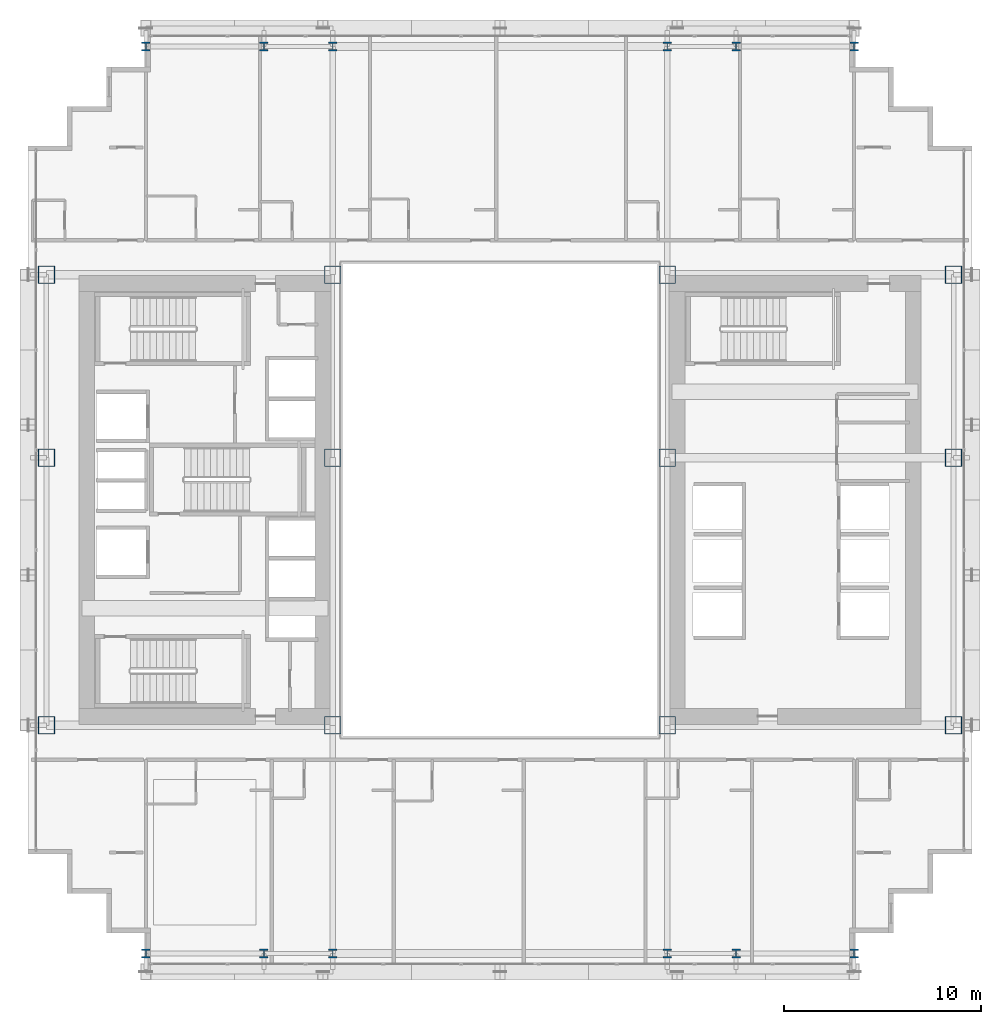
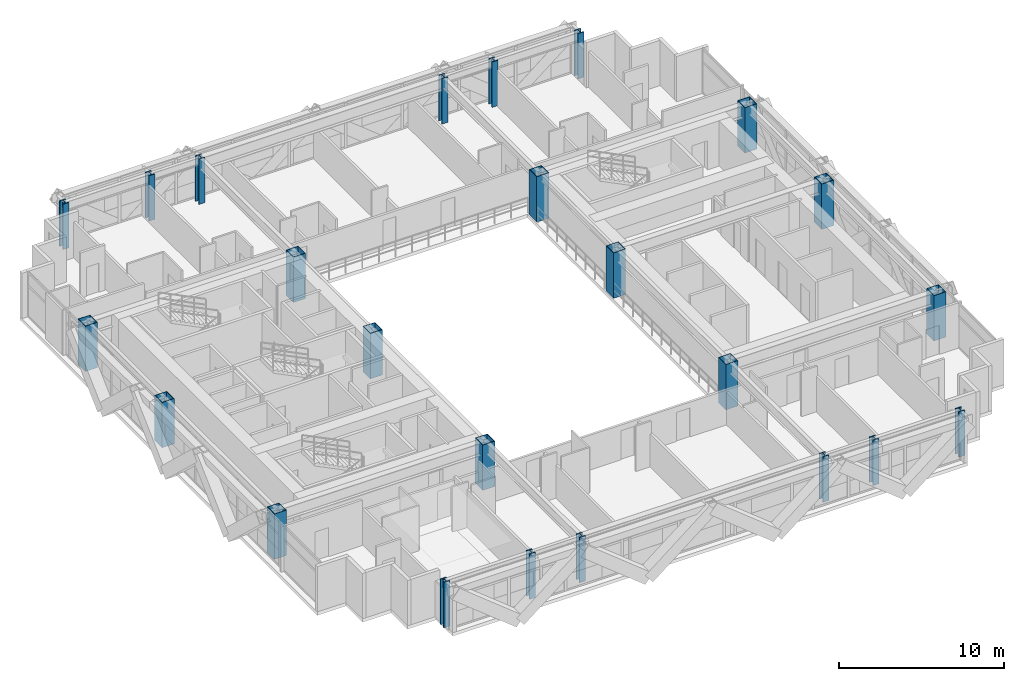
# One storey, part 1 of 38: 24 columns.
"""IFC4 building model written with IfcOpenShell, lengths in metres."""

from ifc_helpers import new_model, si_unit, direction, frame, origin, origin_2d, place, context, subcontext, project, spatial, hollow_rectangle, i_section, extrude, source, transform, mapped, material, material_profile, profile_set, type_object, element, save


model = new_model("IFC4")

# Units and contexts
model_context = context("Model", 3, precision=1e-05, world=origin(), true_north=direction((0.0, 1.0)))
body_context = subcontext(model_context, "Body", "Model", "MODEL_VIEW")
ifc_project = project(units=[si_unit("LENGTHUNIT", "METRE"), si_unit("AREAUNIT", "SQUARE_METRE"), si_unit("VOLUMEUNIT", "CUBIC_METRE"), si_unit("PLANEANGLEUNIT", "RADIAN"), si_unit("MASSUNIT", "GRAM", prefix="KILO")], contexts=[model_context])

# Site, building, storey
site_placement = place(None, origin())
site = spatial("IfcSite", under=ifc_project, at=site_placement, CompositionType="ELEMENT")
building_placement = place(site_placement, origin())
building = spatial("IfcBuilding", under=site, at=building_placement, Name="Ocotamira Hotel", CompositionType="ELEMENT")
storey_placement = place(building_placement, frame((0.0, 0.0, 45.60009765625)))
storey = spatial("IfcBuildingStorey", under=building, at=storey_placement, Name="L10", CompositionType="ELEMENT", Elevation=45.60009765625)

# Columns
ifc_material = material(Name="Steel ASTM A913 Grade 65", Category="steel")
ifc_material_profile_1 = material_profile(ifc_material, hollow_rectangle(XDim=0.85009765625, YDim=0.89990234375, WallThickness=0.0400390625, at=origin_2d()), Name="BOX900X850X40")
ifc_profile_set_1 = profile_set([ifc_material_profile_1], Name="Steel ASTM A913 Grade 65")
column_type_1 = type_object("IfcColumnType", Name="COL-BOX900", PredefinedType="COLUMN", material=ifc_profile_set_1)
shared_shape_1 = source(origin(), body_context, "Body", "SweptSolid", [
    extrude(hollow_rectangle(XDim=0.85009765625, YDim=0.89990234375, WallThickness=0.0400390625, at=origin_2d()), origin(), (0.0, 0.0, 1.0), 3.349853515625),
])
for number, where, z_axis, x_axis, name in (
    (1, (8.949951171875, 14.550048828125, 0.0), (0.0, 0.0, 1.0), (1.0, 0.0, 0.0), "L10 Column TW8_14"),
    (2, (23.5, 14.550048828125, 0.0), (0.0, 0.0, 1.0), (1.0, 0.0, 0.0), "L10 Column TW23_14"),
    (3, (40.5, 14.550048828125, 0.0), (0.0, 0.0, 1.0), (1.0, 0.0, 0.0), "L10 Column TE40_14"),
    (4, (55.050048828125, 14.550048828125, 0.0), (0.0, 0.0, 1.0), (1.0, 0.0, 0.0), "L10 Column TE55_14"),
    (5, (8.949951171875, 28.14990234375, 0.0), (0.0, 0.0, 1.0), (1.0, 0.0, 0.0), "L10 Column TW8_28"),
    (6, (23.5, 28.14990234375, 0.0), (0.0, 0.0, 1.0), (1.0, 0.0, 0.0), "L10 Column TW23_28"),
    (7, (40.5, 28.14990234375, 0.0), (0.0, 0.0, 1.0), (1.0, 0.0, 0.0), "L10 Column TE40_28"),
    (8, (55.050048828125, 28.14990234375, 0.0), (0.0, 0.0, 1.0), (1.0, 0.0, 0.0), "L10 Column TE55_28"),
    (9, (8.949951171875, 37.449951171875, 0.0), (0.0, 0.0, 1.0), (1.0, 0.0, 0.0), "L10 Column TW8_37"),
    (10, (23.5, 37.449951171875, 0.0), (0.0, 0.0, 1.0), (1.0, 0.0, 0.0), "L10 Column TW23_37"),
    (11, (40.5, 37.449951171875, 0.0), (0.0, 0.0, 1.0), (1.0, 0.0, 0.0), "L10 Column TE40_37"),
    (12, (55.050048828125, 37.449951171875, 0.0), (0.0, 0.0, 1.0), (1.0, 0.0, 0.0), "L10 Column TE55_37"),
):
    element("IfcColumn", number, at=place(storey_placement, frame(where, z_axis=z_axis, x_axis=x_axis)), inside=storey, type_object=column_type_1, Name=name, PredefinedType="COLUMN", context=body_context, shape_type="MappedRepresentation", body=[
        mapped(shared_shape_1, transform((0.0, 0.0, 0.0), scale=1.0)),
    ])
ifc_material_profile_2 = material_profile(ifc_material, i_section(OverallWidth=0.422119140625, OverallDepth=0.465087890625, WebThickness=0.044921875, FlangeThickness=0.072509765625, FilletRadius=0.02490234375, at=origin_2d()), Name="W14X398")
ifc_profile_set_2 = profile_set([ifc_material_profile_2], Name="Steel ASTM A913 Grade 65")
column_type_2 = type_object("IfcColumnType", Name="COL-W14X398", PredefinedType="COLUMN", material=ifc_profile_set_2)
shared_shape_2 = source(origin(), body_context, "Body", "SweptSolid", [
    extrude(i_section(OverallWidth=0.422119140625, OverallDepth=0.465087890625, WebThickness=0.044921875, FlangeThickness=0.072509765625, FilletRadius=0.02490234375, at=origin_2d()), origin(), (0.0, 0.0, 1.0), 3.349853515625),
])
for number, where, z_axis, x_axis, name in (
    (13, (14.0, 2.949951171875, 0.0), (0.0, 0.0, 1.0), (1.0, 0.0, 0.0), "L10 Column NSP1_14"),
    (14, (20.0, 2.949951171875, 0.0), (0.0, 0.0, 1.0), (1.0, 0.0, 0.0), "L10 Column NSP1_20"),
    (15, (23.5, 2.949951171875, 0.0), (0.0, 0.0, 1.0), (1.0, 0.0, 0.0), "L10 Column NSP1_23"),
    (16, (40.5, 2.949951171875, 0.0), (0.0, 0.0, 1.0), (1.0, 0.0, 0.0), "L10 Column NSP1_40"),
    (17, (44.0, 2.949951171875, 0.0), (0.0, 0.0, 1.0), (1.0, 0.0, 0.0), "L10 Column NSP1_44"),
    (18, (50.0, 2.949951171875, 0.0), (0.0, 0.0, 1.0), (1.0, 0.0, 0.0), "L10 Column NSP1_50"),
    (19, (14.0, 49.050048828125, 0.0), (0.0, 0.0, 1.0), (1.0, 0.0, 0.0), "L10 Column NSP2_14"),
    (20, (20.0, 49.050048828125, 0.0), (0.0, 0.0, 1.0), (1.0, 0.0, 0.0), "L10 Column NSP2_20"),
    (21, (23.5, 49.050048828125, 0.0), (0.0, 0.0, 1.0), (1.0, 0.0, 0.0), "L10 Column NSP2_23"),
    (22, (40.5, 49.050048828125, 0.0), (0.0, 0.0, 1.0), (1.0, 0.0, 0.0), "L10 Column NSP2_40"),
    (23, (44.0, 49.050048828125, 0.0), (0.0, 0.0, 1.0), (1.0, 0.0, 0.0), "L10 Column NSP2_44"),
    (24, (50.0, 49.050048828125, 0.0), (0.0, 0.0, 1.0), (1.0, 0.0, 0.0), "L10 Column NSP2_50"),
):
    element("IfcColumn", number, at=place(storey_placement, frame(where, z_axis=z_axis, x_axis=x_axis)), inside=storey, type_object=column_type_2, Name=name, PredefinedType="COLUMN", context=body_context, shape_type="MappedRepresentation", body=[
        mapped(shared_shape_2, transform((0.0, 0.0, 0.0), scale=1.0)),
    ])

save(model, "model.ifc")
